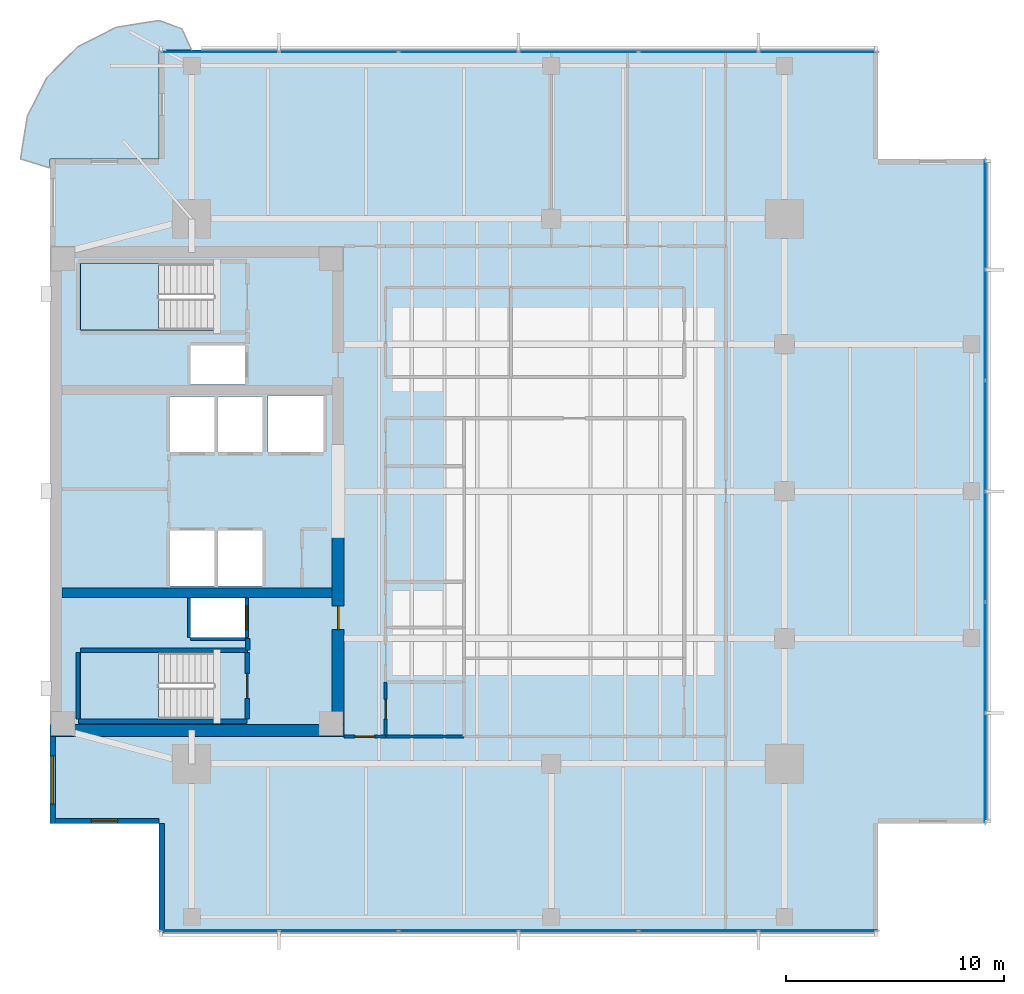
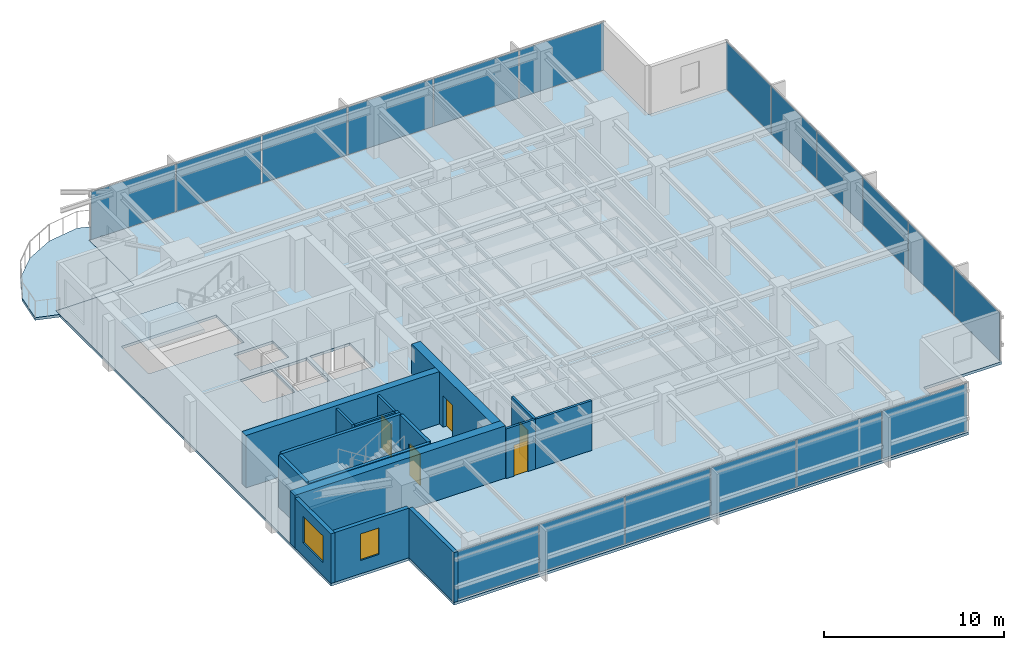
# One storey, part 7 of 14: 18 plates, 17 walls, 5 doors, 4 slabs, 2 windows, 7 openings, 5 elements without a shape of their own.
"""IFC4 building model written with IfcOpenShell, lengths in metres."""

from ifc_helpers import new_model, si_unit, direction, frame, frame_2d, origin, origin_2d, place, context, subcontext, project, spatial, polyline, rectangle, outline, extrude, material, layer, layer_set, type_object, element, fill, aggregate, save


model = new_model("IFC4")

# Units and contexts
model_context = context("Model", 3, precision=1e-05, world=origin(), true_north=direction((0.0, 1.0)))
body_context = subcontext(model_context, "Body", "Model", "MODEL_VIEW")
ifc_project = project(units=[si_unit("LENGTHUNIT", "METRE"), si_unit("AREAUNIT", "SQUARE_METRE"), si_unit("VOLUMEUNIT", "CUBIC_METRE"), si_unit("PLANEANGLEUNIT", "RADIAN"), si_unit("MASSUNIT", "GRAM", prefix="KILO")], contexts=[model_context])

# Site, building, storey
site_placement = place(None, origin())
site = spatial("IfcSite", under=ifc_project, at=site_placement, CompositionType="ELEMENT")
building_placement = place(site_placement, origin())
building = spatial("IfcBuilding", under=site, at=building_placement, Name="Kinhvarn Gate Tower", CompositionType="ELEMENT")
storey_placement = place(building_placement, frame((0.0, 0.0, 234.199951171875)))
storey = spatial("IfcBuildingStorey", under=building, at=storey_placement, Name="L62", CompositionType="ELEMENT", Elevation=234.199951171875)

# Curtain wall, plates
ifc_material_1 = material(Name="Anodised aluminium AW-6063", Category="aluminium")
ifc_layer_1 = layer(ifc_material_1, 0.179931640625)
ifc_layer_set_1 = layer_set([ifc_layer_1], Name="Anodised aluminium AW-6063")
curtain_wall_type = type_object("IfcCurtainWallType", Name="CW-SYS-3", PredefinedType="NOTDEFINED", material=ifc_layer_set_1)
curtain_wall_1_placement = place(storey_placement, origin())
curtain_wall_1 = element("IfcCurtainWall", 1, at=curtain_wall_1_placement, inside=storey, type_object=curtain_wall_type, Name="Curtain Wall CW3 (L62)", PredefinedType="NOTDEFINED")
ifc_material_2 = material(Name="Clear low-e double glazing", Category="glass")
ifc_layer_2 = layer(ifc_material_2, 0.031982421875)
ifc_layer_set_2 = layer_set([ifc_layer_2], Name="Clear low-e double glazing")
plate_type = type_object("IfcPlateType", Name="CW-PNL-VIS", PredefinedType="CURTAIN_PANEL", material=ifc_layer_set_2)
plate_1_placement = place(storey_placement, frame((12.266357421875, 5.090087890625, 0.070068359375), z_axis=(0.0, 0.0, 1.0), x_axis=(1.0, 0.0, 0.0)))
plate_1 = element("IfcPlate", 2, at=plate_1_placement, type_object=plate_type, Name="CW3 panel 1.1", PredefinedType="CURTAIN_PANEL", context=body_context, shape_type="SweptSolid", body=[
    extrude(rectangle(XDim=5.402587890625, YDim=0.031982421875, at=origin_2d()), origin(), (0.0, 0.0, 1.0), 3.22998046875),
])
plate_2_placement = place(storey_placement, frame((17.75, 5.090087890625, 0.070068359375), z_axis=(0.0, 0.0, 1.0), x_axis=(1.0, 0.0, 0.0)))
plate_2 = element("IfcPlate", 3, at=plate_2_placement, type_object=plate_type, Name="CW3 panel 2.1", PredefinedType="CURTAIN_PANEL", context=body_context, shape_type="SweptSolid", body=[
    extrude(rectangle(XDim=5.43505859375, YDim=0.031982421875, at=origin_2d()), origin(), (0.0, 0.0, 1.0), 3.22998046875),
])
plate_3_placement = place(storey_placement, frame((23.25, 5.090087890625, 0.070068359375), z_axis=(0.0, 0.0, 1.0), x_axis=(1.0, 0.0, 0.0)))
plate_3 = element("IfcPlate", 4, at=plate_3_placement, type_object=plate_type, Name="CW3 panel 3.1", PredefinedType="CURTAIN_PANEL", context=body_context, shape_type="SweptSolid", body=[
    extrude(rectangle(XDim=5.43505859375, YDim=0.031982421875, at=origin_2d()), origin(), (0.0, 0.0, 1.0), 3.22998046875),
])
plate_4_placement = place(storey_placement, frame((28.75, 5.090087890625, 0.070068359375), z_axis=(0.0, 0.0, 1.0), x_axis=(1.0, 0.0, 0.0)))
plate_4 = element("IfcPlate", 5, at=plate_4_placement, type_object=plate_type, Name="CW3 panel 4.1", PredefinedType="CURTAIN_PANEL", context=body_context, shape_type="SweptSolid", body=[
    extrude(rectangle(XDim=5.43505859375, YDim=0.031982421875, at=origin_2d()), origin(), (0.0, 0.0, 1.0), 3.22998046875),
])
plate_5_placement = place(storey_placement, frame((34.25, 5.090087890625, 0.070068359375), z_axis=(0.0, 0.0, 1.0), x_axis=(1.0, 0.0, 0.0)))
plate_5 = element("IfcPlate", 6, at=plate_5_placement, type_object=plate_type, Name="CW3 panel 5.1", PredefinedType="CURTAIN_PANEL", context=body_context, shape_type="SweptSolid", body=[
    extrude(rectangle(XDim=5.43505859375, YDim=0.031982421875, at=origin_2d()), origin(), (0.0, 0.0, 1.0), 3.22998046875),
])
plate_6_placement = place(storey_placement, frame((39.733642578125, 5.090087890625, 0.070068359375), z_axis=(0.0, 0.0, 1.0), x_axis=(1.0, 0.0, 0.0)))
plate_6 = element("IfcPlate", 7, at=plate_6_placement, type_object=plate_type, Name="CW3 panel 6.1", PredefinedType="CURTAIN_PANEL", context=body_context, shape_type="SweptSolid", body=[
    extrude(rectangle(XDim=5.402587890625, YDim=0.031982421875, at=origin_2d()), origin(), (0.0, 0.0, 1.0), 3.22998046875),
])
aggregate(curtain_wall_1, [plate_1, plate_2, plate_3, plate_4, plate_5, plate_6])

curtain_wall_2_placement = place(storey_placement, origin())
curtain_wall_2 = element("IfcCurtainWall", 8, at=curtain_wall_2_placement, inside=storey, type_object=curtain_wall_type, Name="Curtain Wall CW3 (L62)", PredefinedType="NOTDEFINED")
plate_7_placement = place(storey_placement, frame((39.733642578125, 45.409912109375, 0.070068359375), z_axis=(0.0, 0.0, 1.0), x_axis=(-1.0, 0.0, 0.0)))
plate_7 = element("IfcPlate", 9, at=plate_7_placement, type_object=plate_type, Name="CW3 panel 1.1", PredefinedType="CURTAIN_PANEL", context=body_context, shape_type="SweptSolid", body=[
    extrude(rectangle(XDim=5.402587890625, YDim=0.031982421875, at=origin_2d()), origin(), (0.0, 0.0, 1.0), 3.22998046875),
])
plate_8_placement = place(storey_placement, frame((34.25, 45.409912109375, 0.070068359375), z_axis=(0.0, 0.0, 1.0), x_axis=(-1.0, 0.0, 0.0)))
plate_8 = element("IfcPlate", 10, at=plate_8_placement, type_object=plate_type, Name="CW3 panel 2.1", PredefinedType="CURTAIN_PANEL", context=body_context, shape_type="SweptSolid", body=[
    extrude(rectangle(XDim=5.43505859375, YDim=0.031982421875, at=origin_2d()), origin(), (0.0, 0.0, 1.0), 3.22998046875),
])
plate_9_placement = place(storey_placement, frame((28.75, 45.409912109375, 0.070068359375), z_axis=(0.0, 0.0, 1.0), x_axis=(-1.0, 0.0, 0.0)))
plate_9 = element("IfcPlate", 11, at=plate_9_placement, type_object=plate_type, Name="CW3 panel 3.1", PredefinedType="CURTAIN_PANEL", context=body_context, shape_type="SweptSolid", body=[
    extrude(rectangle(XDim=5.43505859375, YDim=0.031982421875, at=origin_2d()), origin(), (0.0, 0.0, 1.0), 3.22998046875),
])
plate_10_placement = place(storey_placement, frame((23.25, 45.409912109375, 0.070068359375), z_axis=(0.0, 0.0, 1.0), x_axis=(-1.0, 0.0, 0.0)))
plate_10 = element("IfcPlate", 12, at=plate_10_placement, type_object=plate_type, Name="CW3 panel 4.1", PredefinedType="CURTAIN_PANEL", context=body_context, shape_type="SweptSolid", body=[
    extrude(rectangle(XDim=5.43505859375, YDim=0.031982421875, at=origin_2d()), origin(), (0.0, 0.0, 1.0), 3.22998046875),
])
plate_11_placement = place(storey_placement, frame((17.75, 45.409912109375, 0.070068359375), z_axis=(0.0, 0.0, 1.0), x_axis=(-1.0, 0.0, 0.0)))
plate_11 = element("IfcPlate", 13, at=plate_11_placement, type_object=plate_type, Name="CW3 panel 5.1", PredefinedType="CURTAIN_PANEL", context=body_context, shape_type="SweptSolid", body=[
    extrude(rectangle(XDim=5.43505859375, YDim=0.031982421875, at=origin_2d()), origin(), (0.0, 0.0, 1.0), 3.22998046875),
])
plate_12_placement = place(storey_placement, frame((12.266357421875, 45.409912109375, 0.070068359375), z_axis=(0.0, 0.0, 1.0), x_axis=(-1.0, 0.0, 0.0)))
plate_12 = element("IfcPlate", 14, at=plate_12_placement, type_object=plate_type, Name="CW3 panel 6.1", PredefinedType="CURTAIN_PANEL", context=body_context, shape_type="SweptSolid", body=[
    extrude(rectangle(XDim=5.402587890625, YDim=0.031982421875, at=origin_2d()), origin(), (0.0, 0.0, 1.0), 3.22998046875),
])
aggregate(curtain_wall_2, [plate_7, plate_8, plate_9, plate_10, plate_11, plate_12])

curtain_wall_3_placement = place(storey_placement, origin())
curtain_wall_3 = element("IfcCurtainWall", 15, at=curtain_wall_3_placement, inside=storey, type_object=curtain_wall_type, Name="Curtain Wall CW3 (L62)", PredefinedType="NOTDEFINED")
plate_13_placement = place(storey_placement, frame((47.409912109375, 12.557861328125, 0.070068359375), z_axis=(0.0, 0.0, 1.0), x_axis=(0.0, 1.0, 0.0)))
plate_13 = element("IfcPlate", 16, at=plate_13_placement, type_object=plate_type, Name="CW3 panel 1.1", PredefinedType="CURTAIN_PANEL", context=body_context, shape_type="SweptSolid", body=[
    extrude(rectangle(XDim=4.98583984375, YDim=0.031982421875, at=origin_2d()), origin(), (0.0, 0.0, 1.0), 3.22998046875),
])
plate_14_placement = place(storey_placement, frame((47.409912109375, 17.625, 0.070068359375), z_axis=(0.0, 0.0, 1.0), x_axis=(0.0, 1.0, 0.0)))
plate_14 = element("IfcPlate", 17, at=plate_14_placement, type_object=plate_type, Name="CW3 panel 2.1", PredefinedType="CURTAIN_PANEL", context=body_context, shape_type="SweptSolid", body=[
    extrude(rectangle(XDim=5.018310546875, YDim=0.031982421875, at=origin_2d()), origin(), (0.0, 0.0, 1.0), 3.22998046875),
])
plate_15_placement = place(storey_placement, frame((47.409912109375, 22.708251953125, 0.070068359375), z_axis=(0.0, 0.0, 1.0), x_axis=(0.0, 1.0, 0.0)))
plate_15 = element("IfcPlate", 18, at=plate_15_placement, type_object=plate_type, Name="CW3 panel 3.1", PredefinedType="CURTAIN_PANEL", context=body_context, shape_type="SweptSolid", body=[
    extrude(rectangle(XDim=5.018310546875, YDim=0.031982421875, at=origin_2d()), origin(), (0.0, 0.0, 1.0), 3.22998046875),
])
plate_16_placement = place(storey_placement, frame((47.409912109375, 27.791748046875, 0.070068359375), z_axis=(0.0, 0.0, 1.0), x_axis=(0.0, 1.0, 0.0)))
plate_16 = element("IfcPlate", 19, at=plate_16_placement, type_object=plate_type, Name="CW3 panel 4.1", PredefinedType="CURTAIN_PANEL", context=body_context, shape_type="SweptSolid", body=[
    extrude(rectangle(XDim=5.018310546875, YDim=0.031982421875, at=origin_2d()), origin(), (0.0, 0.0, 1.0), 3.22998046875),
])
plate_17_placement = place(storey_placement, frame((47.409912109375, 32.875, 0.070068359375), z_axis=(0.0, 0.0, 1.0), x_axis=(0.0, 1.0, 0.0)))
plate_17 = element("IfcPlate", 20, at=plate_17_placement, type_object=plate_type, Name="CW3 panel 5.1", PredefinedType="CURTAIN_PANEL", context=body_context, shape_type="SweptSolid", body=[
    extrude(rectangle(XDim=5.018310546875, YDim=0.031982421875, at=origin_2d()), origin(), (0.0, 0.0, 1.0), 3.22998046875),
])
plate_18_placement = place(storey_placement, frame((47.409912109375, 37.942138671875, 0.070068359375), z_axis=(0.0, 0.0, 1.0), x_axis=(0.0, 1.0, 0.0)))
plate_18 = element("IfcPlate", 21, at=plate_18_placement, type_object=plate_type, Name="CW3 panel 6.1", PredefinedType="CURTAIN_PANEL", context=body_context, shape_type="SweptSolid", body=[
    extrude(rectangle(XDim=4.98583984375, YDim=0.031982421875, at=origin_2d()), origin(), (0.0, 0.0, 1.0), 3.22998046875),
])
aggregate(curtain_wall_3, [plate_13, plate_14, plate_15, plate_16, plate_17, plate_18])

# Slabs
ifc_material_3 = material(Name="Precast white architectural concrete C40/50", Category="concrete")
ifc_layer_3 = layer(ifc_material_3, 0.179931640625)
ifc_layer_set_3 = layer_set([ifc_layer_3], Name="Precast white architectural concrete C40/50")
slab_type_1 = type_object("IfcSlabType", Name="SLB-BAL-180", PredefinedType="FLOOR", material=ifc_layer_set_3)
slab_1_placement = place(storey_placement, frame((0.0, 0.0, -0.179931640625)))
element("IfcSlab", 22, at=slab_1_placement, inside=storey, type_object=slab_type_1, Name="S-Carve Curved Terrace Balcony Slab L62 (NW)", PredefinedType="FLOOR", context=body_context, shape_type="SweptSolid", body=[
    extrude(outline(polyline([(10.9970703125, 45.5), (10.547119140625, 46.471923828125), (9.5, 46.85009765625), (7.53759765625, 46.539306640625), (5.767578125, 45.63720703125), (4.36279296875, 44.232421875), (3.460693359375, 42.46240234375), (3.14990234375, 40.5), (4.5, 40.0859375), (4.5, 40.5), (9.5, 40.5), (9.5, 45.5), (10.9970703125, 45.5)])), origin(), (0.0, 0.0, 1.0), 0.179931640625),
])
ifc_material_4 = material(Name="Concrete C40/50", Category="concrete")
ifc_layer_4 = layer(ifc_material_4, 0.179931640625)
ifc_layer_set_4 = layer_set([ifc_layer_4], Name="Concrete C40/50")
slab_type_2 = type_object("IfcSlabType", Name="SLB-FLR-180", PredefinedType="FLOOR", material=ifc_layer_set_4)
slab_2_placement = place(storey_placement, frame((0.0, 0.0, -0.179931640625)))
element("IfcSlab", 23, at=slab_2_placement, inside=storey, type_object=slab_type_2, Name="Suspended Floor Slab L62", PredefinedType="FLOOR", context=body_context, shape_type="SweptSolid", body=[
    extrude(outline(polyline([(9.5, 5.0), (42.5, 5.0), (42.5, 10.0), (47.5, 10.0), (47.5, 40.5), (42.5, 40.5), (42.5, 45.5), (9.5, 45.5), (9.5, 40.5), (4.5, 40.5), (4.5, 10.0), (9.5, 10.0), (9.5, 5.0)]), holes=[polyline([(5.89990234375, 14.800048828125), (12.0, 14.800048828125), (12.0, 17.85009765625), (5.89990234375, 17.85009765625), (5.89990234375, 14.800048828125)]), polyline([(5.89990234375, 32.64990234375), (12.0, 32.64990234375), (12.0, 35.699951171875), (5.89990234375, 35.699951171875), (5.89990234375, 32.64990234375)]), polyline([(10.0, 20.89990234375), (12.050048828125, 20.89990234375), (12.050048828125, 23.449951171875), (10.0, 23.449951171875), (10.0, 20.89990234375)]), polyline([(12.199951171875, 20.89990234375), (14.25, 20.89990234375), (14.25, 23.449951171875), (12.199951171875, 23.449951171875), (12.199951171875, 20.89990234375)]), polyline([(10.0, 27.050048828125), (12.050048828125, 27.050048828125), (12.050048828125, 29.60009765625), (10.0, 29.60009765625), (10.0, 27.050048828125)]), polyline([(12.199951171875, 27.050048828125), (14.25, 27.050048828125), (14.25, 29.60009765625), (12.199951171875, 29.60009765625), (12.199951171875, 27.050048828125)]), polyline([(14.5, 27.050048828125), (17.050048828125, 27.050048828125), (17.050048828125, 29.64990234375), (14.5, 29.64990234375), (14.5, 27.050048828125)]), polyline([(10.949951171875, 18.550048828125), (13.449951171875, 18.550048828125), (13.449951171875, 20.35009765625), (10.949951171875, 20.35009765625), (10.949951171875, 18.550048828125)]), polyline([(10.949951171875, 30.14990234375), (13.449951171875, 30.14990234375), (13.449951171875, 31.949951171875), (10.949951171875, 31.949951171875), (10.949951171875, 30.14990234375)])]), origin(), (0.0, 0.0, 1.0), 0.179931640625),
])

# Stair, slab
stair_type = type_object("IfcStairType", Name="STR-DLG-178", PredefinedType="HALF_TURN_STAIR", material=ifc_material_4)
stair_1_placement = place(storey_placement, origin())
stair_1 = element("IfcStair", 24, at=stair_1_placement, inside=storey, type_object=stair_type, Name="L62 Core Smokeproof Exit Stair ST1", PredefinedType="HALF_TURN_STAIR")
ifc_layer_5 = layer(ifc_material_4, 0.199951171875)
ifc_layer_set_5 = layer_set([ifc_layer_5], Name="Concrete C40/50")
slab_type_3 = type_object("IfcSlabType", Name="SLB-ST-LND", PredefinedType="LANDING", material=ifc_layer_set_5)
slab_3_placement = place(storey_placement, frame((0.0, 0.0, 1.574951171875)))
slab_3 = element("IfcSlab", 25, at=slab_3_placement, type_object=slab_type_3, Name="ST1 landing 1", PredefinedType="LANDING", context=body_context, shape_type="SweptSolid", body=[
    extrude(outline(polyline([(9.47998046875, 17.85009765625), (5.89990234375, 17.85009765625), (5.89990234375, 14.800048828125), (9.47998046875, 14.800048828125), (9.47998046875, 17.85009765625)])), origin(), (0.0, 0.0, 1.0), 0.2001953125),
])
aggregate(stair_1, [slab_3])

stair_2_placement = place(storey_placement, origin())
stair_2 = element("IfcStair", 26, at=stair_2_placement, inside=storey, type_object=stair_type, Name="L62 Core Smokeproof Exit Stair ST2", PredefinedType="HALF_TURN_STAIR")
slab_4_placement = place(storey_placement, frame((0.0, 0.0, 1.574951171875)))
slab_4 = element("IfcSlab", 27, at=slab_4_placement, type_object=slab_type_3, Name="ST2 landing 1", PredefinedType="LANDING", context=body_context, shape_type="SweptSolid", body=[
    extrude(outline(polyline([(9.47998046875, 35.699951171875), (5.89990234375, 35.699951171875), (5.89990234375, 32.64990234375), (9.47998046875, 32.64990234375), (9.47998046875, 35.699951171875)])), origin(), (0.0, 0.0, 1.0), 0.2001953125),
])
aggregate(stair_2, [slab_4])

# Walls
ifc_material_5 = material(Name="Concrete C50/60", Category="concrete")
ifc_layer_6 = layer(ifc_material_5, 0.449951171875)
ifc_layer_set_6 = layer_set([ifc_layer_6], Name="Concrete C50/60")
wall_type_1 = type_object("IfcWallType", Name="WL-CORE-450", PredefinedType="SHEAR", material=ifc_layer_set_6)
wall_1_placement = place(storey_placement, frame((5.050048828125, 20.60009765625, 0.0), z_axis=(0.0, 0.0, 1.0), x_axis=(1.0, 0.0, 0.0)))
element("IfcWall", 28, at=wall_1_placement, inside=storey, type_object=wall_type_1, Name="Core South Spine Shear Wall L62 450 mm", PredefinedType="SHEAR", context=body_context, shape_type="SweptSolid", body=[
    extrude(rectangle(XDim=12.39990234375, YDim=0.449951171875, at=frame_2d((6.199951171875, 0.0))), origin(), (0.0, 0.0, 1.0), 3.550048828125),
])
ifc_material_6 = material(Name="Concrete C60/75", Category="concrete")
ifc_layer_7 = layer(ifc_material_6, 0.550048828125)
ifc_layer_set_7 = layer_set([ifc_layer_7], Name="Concrete C60/75")
wall_type_2 = type_object("IfcWallType", Name="WL-CORE-550", PredefinedType="SHEAR", material=ifc_layer_set_7)
wall_2_placement = place(storey_placement, frame((4.5, 14.27490234375, 0.0), z_axis=(0.0, 0.0, 1.0), x_axis=(1.0, 0.0, 0.0)))
element("IfcWall", 29, at=wall_2_placement, inside=storey, type_object=wall_type_2, Name="Core South Shear Wall L62 550 mm", PredefinedType="SHEAR", context=body_context, shape_type="SweptSolid", body=[
    extrude(rectangle(XDim=13.5, YDim=0.550048828125, at=frame_2d((6.75, 0.0))), origin(), (0.0, 0.0, 1.0), 3.550048828125),
])

# Wall, opening, door
wall_3_placement = place(storey_placement, frame((17.72509765625, 14.550048828125, 0.0), z_axis=(0.0, 0.0, 1.0), x_axis=(0.0, 1.0, 0.0)))
wall_3 = element("IfcWall", 30, at=wall_3_placement, inside=storey, type_object=wall_type_2, Name="Core East-South Shear Pier L62 550 mm", PredefinedType="SHEAR", context=body_context, shape_type="SweptSolid", body=[
    extrude(rectangle(XDim=8.89990234375, YDim=0.550048828125, at=frame_2d((4.449951171875, 0.0))), origin(), (0.0, 0.0, 1.0), 3.550048828125),
])
opening_1_placement = place(wall_3_placement, frame((4.35009765625, 0.0, 0.0)))
opening_1 = element("IfcOpeningElement", 31, at=opening_1_placement, cuts=wall_3, Name="Opening FD-02", PredefinedType="OPENING", context=body_context, shape_type="SweptSolid", body=[
    extrude(rectangle(XDim=1.10009765625, YDim=2.14990234375, at=frame_2d((0.550048828125, 1.074951171875))), frame((0.0, 0.28515625, 0.0), z_axis=(0.0, -1.0, 0.0), x_axis=(1.0, 0.0, 0.0)), (0.0, 0.0, 1.0), 0.570068359375),
])
door_type_1 = type_object("IfcDoorType", Name="DR-FD-1100", OperationType="NOTDEFINED", PredefinedType="DOOR", material=ifc_material_1)
door_1_placement = place(opening_1_placement, origin())
door_1 = element("IfcDoor", 32, at=door_1_placement, inside=storey, type_object=door_type_1, Name="Firefighting Lobby Core Door (L62)", OperationType="SINGLE_SWING_RIGHT", OverallHeight=2.14990234375, OverallWidth=1.10009765625, PredefinedType="DOOR", context=body_context, shape_type="SweptSolid", body=[
    extrude(rectangle(XDim=1.10009765625, YDim=2.14990234375, at=frame_2d((0.550048828125, 1.074951171875))), frame((0.0, 0.02490234375, 0.0), z_axis=(0.0, -1.0, 0.0), x_axis=(1.0, 0.0, 0.0)), (0.0, 0.0, 1.0), 0.050048828125),
])
fill(opening_1, door_1)

# Wall, opening, window
ifc_material_7 = material(Name="Fired architectural terracotta", Category="masonry")
ifc_layer_8 = layer(ifc_material_7, 0.25)
ifc_layer_set_8 = layer_set([ifc_layer_8], Name="Fired architectural terracotta")
wall_type_3 = type_object("IfcWallType", Name="WL-EXT-250", PredefinedType="SOLIDWALL", material=ifc_layer_set_8)
wall_4_placement = place(storey_placement, frame((4.625, 14.0, 0.0), z_axis=(0.0, 0.0, 1.0), x_axis=(0.0, -1.0, 0.0)))
wall_4 = element("IfcWall", 33, at=wall_4_placement, inside=storey, type_object=wall_type_3, Name="Exterior Solidwall Wall EW-250 (L62 West-South)", PredefinedType="SOLIDWALL", context=body_context, shape_type="SweptSolid", body=[
    extrude(rectangle(XDim=4.0, YDim=0.25, at=frame_2d((2.0, 0.0))), origin(), (0.0, 0.0, 1.0), 3.3701171875),
])
opening_2_placement = place(wall_4_placement, frame((0.89990234375, 0.0, 0.89990234375)))
opening_2 = element("IfcOpeningElement", 34, at=opening_2_placement, cuts=wall_4, Name="Opening WN-01", PredefinedType="OPENING", context=body_context, shape_type="SweptSolid", body=[
    extrude(rectangle(XDim=2.199951171875, YDim=1.800048828125, at=frame_2d((1.10009765625, 0.89990234375))), frame((0.0, 0.135009765625, 0.0), z_axis=(0.0, -1.0, 0.0), x_axis=(1.0, 0.0, 0.0)), (0.0, 0.0, 1.0), 0.27001953125),
])
window_type_1 = type_object("IfcWindowType", Name="WIN-RIB-2200", PartitioningType="SINGLE_PANEL", PredefinedType="WINDOW", material=ifc_material_2)
window_1_placement = place(opening_2_placement, origin())
window_1 = element("IfcWindow", 35, at=window_1_placement, inside=storey, type_object=window_type_1, Name="West Flank Double-Glazed Ribbon Window 2200x1800 mm (L62)", OverallHeight=1.800048828125, OverallWidth=2.199951171875, PartitioningType="SINGLE_PANEL", PredefinedType="WINDOW", context=body_context, shape_type="SweptSolid", body=[
    extrude(rectangle(XDim=2.199951171875, YDim=1.800048828125, at=frame_2d((1.10009765625, 0.89990234375))), frame((0.0, 0.030029296875, 0.0), z_axis=(0.0, -1.0, 0.0), x_axis=(1.0, 0.0, 0.0)), (0.0, 0.0, 1.0), 0.06005859375),
])
fill(opening_2, window_1)

wall_5_placement = place(storey_placement, frame((4.5, 10.125, 0.0), z_axis=(0.0, 0.0, 1.0), x_axis=(1.0, 0.0, 0.0)))
wall_5 = element("IfcWall", 36, at=wall_5_placement, inside=storey, type_object=wall_type_3, Name="Exterior Solidwall Wall EW-250 (L62 SW-Notch-1)", PredefinedType="SOLIDWALL", context=body_context, shape_type="SweptSolid", body=[
    extrude(rectangle(XDim=5.0, YDim=0.25, at=frame_2d((2.5, 0.0))), origin(), (0.0, 0.0, 1.0), 3.3701171875),
])
opening_3_placement = place(wall_5_placement, frame((1.89990234375, 0.0, 0.89990234375)))
opening_3 = element("IfcOpeningElement", 37, at=opening_3_placement, cuts=wall_5, Name="Opening WN-02", PredefinedType="OPENING", context=body_context, shape_type="SweptSolid", body=[
    extrude(rectangle(XDim=1.199951171875, YDim=1.800048828125, at=frame_2d((0.60009765625, 0.89990234375))), frame((0.0, 0.135009765625, 0.0), z_axis=(0.0, -1.0, 0.0), x_axis=(1.0, 0.0, 0.0)), (0.0, 0.0, 1.0), 0.27001953125),
])
window_type_2 = type_object("IfcWindowType", Name="WIN-NTC-1200", PartitioningType="SINGLE_PANEL", PredefinedType="WINDOW", material=ifc_material_2)
window_2_placement = place(opening_3_placement, origin())
window_2 = element("IfcWindow", 38, at=window_2_placement, inside=storey, type_object=window_type_2, Name="Recessed Corner Notch Punched Window 1200x1800 mm (L62)", OverallHeight=1.800048828125, OverallWidth=1.199951171875, PartitioningType="SINGLE_PANEL", PredefinedType="WINDOW", context=body_context, shape_type="SweptSolid", body=[
    extrude(rectangle(XDim=1.199951171875, YDim=1.800048828125, at=frame_2d((0.60009765625, 0.89990234375))), frame((0.0, 0.030029296875, 0.0), z_axis=(0.0, -1.0, 0.0), x_axis=(1.0, 0.0, 0.0)), (0.0, 0.0, 1.0), 0.06005859375),
])
fill(opening_3, window_2)

# Walls
wall_6_placement = place(storey_placement, frame((9.625, 10.0, 0.0), z_axis=(0.0, 0.0, 1.0), x_axis=(0.0, -1.0, 0.0)))
element("IfcWall", 39, at=wall_6_placement, inside=storey, type_object=wall_type_3, Name="Exterior Solidwall Wall EW-250 (L62 SW-Notch-2)", PredefinedType="SOLIDWALL", context=body_context, shape_type="SweptSolid", body=[
    extrude(rectangle(XDim=5.0, YDim=0.25, at=frame_2d((2.5, 0.0))), origin(), (0.0, 0.0, 1.0), 3.3701171875),
])
ifc_material_8 = material(Name="Gypsum acoustic partition board")
ifc_layer_9 = layer(ifc_material_8, 0.14990234375)
ifc_layer_set_9 = layer_set([ifc_layer_9], Name="Gypsum acoustic partition board")
wall_type_4 = type_object("IfcWallType", Name="WL-PLM-150", PredefinedType="PLUMBINGWALL", material=ifc_layer_set_9)
wall_7_placement = place(storey_placement, frame((19.89990234375, 14.0, 0.0), z_axis=(0.0, 0.0, 1.0), x_axis=(1.0, 0.0, 0.0)))
element("IfcWall", 40, at=wall_7_placement, inside=storey, type_object=wall_type_4, Name="Interior Partition PLW-150 (L62)", PredefinedType="PLUMBINGWALL", context=body_context, shape_type="SweptSolid", body=[
    extrude(rectangle(XDim=3.60009765625, YDim=0.14990234375, at=frame_2d((1.800048828125, 0.0))), origin(), (0.0, 0.0, 1.0), 3.3701171875),
])

# Wall, opening, door
ifc_layer_10 = layer(ifc_material_8, 0.14990234375)
ifc_layer_set_10 = layer_set([ifc_layer_10], Name="Gypsum acoustic partition board")
wall_type_5 = type_object("IfcWallType", Name="WL-PLM-150F", PredefinedType="PLUMBINGWALL", material=ifc_layer_set_10)
wall_8_placement = place(storey_placement, frame((19.89990234375, 14.0, 0.0), z_axis=(0.0, 0.0, 1.0), x_axis=(0.0, 1.0, 0.0)))
wall_8 = element("IfcWall", 41, at=wall_8_placement, inside=storey, type_object=wall_type_5, Name="Interior Partition PLW-150F (L62)", PredefinedType="PLUMBINGWALL", context=body_context, shape_type="SweptSolid", body=[
    extrude(rectangle(XDim=2.5, YDim=0.14990234375, at=frame_2d((1.25, 0.0))), origin(), (0.0, 0.0, 1.0), 3.3701171875),
])
opening_4_placement = place(wall_8_placement, frame((0.800048828125, 0.0, 0.0)))
opening_4 = element("IfcOpeningElement", 42, at=opening_4_placement, cuts=wall_8, Name="Opening FD-04", PredefinedType="OPENING", context=body_context, shape_type="SweptSolid", body=[
    extrude(rectangle(XDim=0.89990234375, YDim=2.10009765625, at=frame_2d((0.449951171875, 1.050048828125))), frame((0.0, 0.0849609375, 0.0), z_axis=(0.0, -1.0, 0.0), x_axis=(1.0, 0.0, 0.0)), (0.0, 0.0, 1.0), 0.169921875),
])
door_type_2 = type_object("IfcDoorType", Name="DR-FD-900", OperationType="NOTDEFINED", PredefinedType="DOOR", material=ifc_material_1)
door_2_placement = place(opening_4_placement, origin())
door_2 = element("IfcDoor", 43, at=door_2_placement, inside=storey, type_object=door_type_2, Name="Rated Riser & Service Closet Fire Door 900x2100 mm (L62)", OperationType="SINGLE_SWING_RIGHT", OverallHeight=2.10009765625, OverallWidth=0.89990234375, PredefinedType="DOOR", context=body_context, shape_type="SweptSolid", body=[
    extrude(rectangle(XDim=0.89990234375, YDim=2.10009765625, at=frame_2d((0.449951171875, 1.050048828125))), frame((0.0, 0.02490234375, 0.0), z_axis=(0.0, -1.0, 0.0), x_axis=(1.0, 0.0, 0.0)), (0.0, 0.0, 1.0), 0.050048828125),
])
fill(opening_4, door_2)

ifc_layer_11 = layer(ifc_material_8, 0.14990234375)
ifc_layer_set_11 = layer_set([ifc_layer_11], Name="Gypsum acoustic partition board")
wall_type_6 = type_object("IfcWallType", Name="WL-PRT-150F", PredefinedType="PARTITIONING", material=ifc_layer_set_11)
wall_9_placement = place(storey_placement, frame((18.0, 14.0, 0.0), z_axis=(0.0, 0.0, 1.0), x_axis=(1.0, 0.0, 0.0)))
wall_9 = element("IfcWall", 44, at=wall_9_placement, inside=storey, type_object=wall_type_6, Name="Interior Partition PW-150F (L62)", PredefinedType="PARTITIONING", context=body_context, shape_type="SweptSolid", body=[
    extrude(rectangle(XDim=1.89990234375, YDim=0.14990234375, at=frame_2d((0.949951171875, 0.0))), origin(), (0.0, 0.0, 1.0), 3.3701171875),
])
opening_5_placement = place(wall_9_placement, frame((0.5, 0.0, 0.0)))
opening_5 = element("IfcOpeningElement", 45, at=opening_5_placement, cuts=wall_9, Name="Opening ID-03", PredefinedType="OPENING", context=body_context, shape_type="SweptSolid", body=[
    extrude(rectangle(XDim=0.89990234375, YDim=2.10009765625, at=frame_2d((0.449951171875, 1.050048828125))), frame((0.0, 0.0849609375, 0.0), z_axis=(0.0, -1.0, 0.0), x_axis=(1.0, 0.0, 0.0)), (0.0, 0.0, 1.0), 0.169921875),
])
door_type_3 = type_object("IfcDoorType", Name="DR-INT-900", OperationType="NOTDEFINED", PredefinedType="DOOR", material=ifc_material_1)
door_3_placement = place(opening_5_placement, origin())
door_3 = element("IfcDoor", 46, at=door_3_placement, inside=storey, type_object=door_type_3, Name="Cellular Office & Restroom Door 900x2100 mm (L62)", OperationType="SINGLE_SWING_LEFT", OverallHeight=2.10009765625, OverallWidth=0.89990234375, PredefinedType="DOOR", context=body_context, shape_type="SweptSolid", body=[
    extrude(rectangle(XDim=0.89990234375, YDim=2.10009765625, at=frame_2d((0.449951171875, 1.050048828125))), frame((0.0, 0.02490234375, 0.0), z_axis=(0.0, -1.0, 0.0), x_axis=(1.0, 0.0, 0.0)), (0.0, 0.0, 1.0), 0.050048828125),
])
fill(opening_5, door_3)

# Walls
ifc_layer_12 = layer(ifc_material_8, 0.199951171875)
ifc_layer_set_12 = layer_set([ifc_layer_12], Name="Gypsum acoustic partition board")
wall_type_7 = type_object("IfcWallType", Name="WL-PRT-200", PredefinedType="PARTITIONING", material=ifc_layer_set_12)
wall_10_placement = place(storey_placement, frame((13.580078125, 17.9599609375, 0.0), z_axis=(0.0, 0.0, 1.0), x_axis=(0.0, 1.0, 0.0)))
element("IfcWall", 47, at=wall_10_placement, inside=storey, type_object=wall_type_7, Name="Interior Partition PW-200 (L62)", PredefinedType="PARTITIONING", context=body_context, shape_type="SweptSolid", body=[
    extrude(rectangle(XDim=0.5400390625, YDim=0.199951171875, at=frame_2d((0.27001953125, 0.0))), origin(), (0.0, 0.0, 1.0), 3.3701171875),
])
ifc_layer_13 = layer(ifc_material_8, 0.14990234375)
ifc_layer_set_13 = layer_set([ifc_layer_13], Name="Gypsum acoustic partition board")
wall_type_8 = type_object("IfcWallType", Name="WL-SHF-150", PredefinedType="PARTITIONING", material=ifc_layer_set_13)
wall_11_placement = place(storey_placement, frame((10.949951171875, 18.47509765625, 0.0), z_axis=(0.0, 0.0, 1.0), x_axis=(1.0, 0.0, 0.0)))
element("IfcWall", 48, at=wall_11_placement, inside=storey, type_object=wall_type_8, Name="Elevator FF1 Hoistway Wall S (L62)", PredefinedType="PARTITIONING", context=body_context, shape_type="SweptSolid", body=[
    extrude(rectangle(XDim=2.5, YDim=0.14990234375, at=frame_2d((1.25, 0.0))), origin(), (0.0, 0.0, 1.0), 3.3701171875),
])
wall_12_placement = place(storey_placement, frame((10.875, 18.550048828125, 0.0), z_axis=(0.0, 0.0, 1.0), x_axis=(0.0, 1.0, 0.0)))
element("IfcWall", 49, at=wall_12_placement, inside=storey, type_object=wall_type_8, Name="Elevator FF1 Hoistway Wall W (L62)", PredefinedType="PARTITIONING", context=body_context, shape_type="SweptSolid", body=[
    extrude(rectangle(XDim=1.800048828125, YDim=0.14990234375, at=frame_2d((0.89990234375, 0.0))), origin(), (0.0, 0.0, 1.0), 3.3701171875),
])

# Wall, opening, door
wall_13_placement = place(storey_placement, frame((13.52490234375, 18.550048828125, 0.0), z_axis=(0.0, 0.0, 1.0), x_axis=(0.0, 1.0, 0.0)))
wall_13 = element("IfcWall", 50, at=wall_13_placement, inside=storey, type_object=wall_type_8, Name="Elevator FF1 Landing Wall (L62)", PredefinedType="PARTITIONING", context=body_context, shape_type="SweptSolid", body=[
    extrude(rectangle(XDim=1.800048828125, YDim=0.14990234375, at=frame_2d((0.89990234375, 0.0))), origin(), (0.0, 0.0, 1.0), 3.3701171875),
])
opening_6_placement = place(wall_13_placement, frame((0.35009765625, 0.0, 0.0)))
opening_6 = element("IfcOpeningElement", 51, at=opening_6_placement, cuts=wall_13, Name="Opening LD-03", PredefinedType="OPENING", context=body_context, shape_type="SweptSolid", body=[
    extrude(rectangle(XDim=1.10009765625, YDim=2.199951171875, at=frame_2d((0.550048828125, 1.10009765625))), frame((0.0, 0.0849609375, 0.0), z_axis=(0.0, -1.0, 0.0), x_axis=(1.0, 0.0, 0.0)), (0.0, 0.0, 1.0), 0.169921875),
])
door_type_4 = type_object("IfcDoorType", Name="DR-LND-FF", OperationType="NOTDEFINED", PredefinedType="DOOR", material=ifc_material_1)
door_4_placement = place(opening_6_placement, origin())
door_4 = element("IfcDoor", 52, at=door_4_placement, inside=storey, type_object=door_type_4, Name="Elevator FF1 Sliding Landing Door (L62)", OperationType="DOUBLE_DOOR_SLIDING", OverallHeight=2.199951171875, OverallWidth=1.10009765625, PredefinedType="DOOR", context=body_context, shape_type="SweptSolid", body=[
    extrude(rectangle(XDim=1.10009765625, YDim=2.199951171875, at=frame_2d((0.550048828125, 1.10009765625))), frame((0.0, 0.02490234375, 0.0), z_axis=(0.0, -1.0, 0.0), x_axis=(1.0, 0.0, 0.0)), (0.0, 0.0, 1.0), 0.050048828125),
])
fill(opening_6, door_4)

# Walls
ifc_layer_14 = layer(ifc_material_4, 0.199951171875)
ifc_layer_set_14 = layer_set([ifc_layer_14], Name="Concrete C40/50")
wall_type_9 = type_object("IfcWallType", Name="WL-SHF-200", PredefinedType="SOLIDWALL", material=ifc_layer_set_14)
wall_14_placement = place(storey_placement, frame((5.800048828125, 14.699951171875, 0.0), z_axis=(0.0, 0.0, 1.0), x_axis=(1.0, 0.0, 0.0)))
element("IfcWall", 53, at=wall_14_placement, inside=storey, type_object=wall_type_9, Name="Stair ST1 South Shaft Wall (L62)", PredefinedType="SOLIDWALL", context=body_context, shape_type="SweptSolid", body=[
    extrude(rectangle(XDim=7.75, YDim=0.199951171875, at=frame_2d((3.875, 0.0))), origin(), (0.0, 0.0, 1.0), 3.550048828125),
])
wall_15_placement = place(storey_placement, frame((5.7900390625, 14.800048828125, 0.0), z_axis=(0.0, 0.0, 1.0), x_axis=(0.0, 1.0, 0.0)))
element("IfcWall", 54, at=wall_15_placement, inside=storey, type_object=wall_type_9, Name="Stair ST1 West Shaft Wall (L62)", PredefinedType="SOLIDWALL", context=body_context, shape_type="SweptSolid", body=[
    extrude(rectangle(XDim=3.050048828125, YDim=0.199951171875, at=frame_2d((1.52490234375, 0.0))), origin(), (0.0, 0.0, 1.0), 3.550048828125),
])
wall_16_placement = place(storey_placement, frame((5.89990234375, 17.9599609375, 0.0), z_axis=(0.0, 0.0, 1.0), x_axis=(1.0, 0.0, 0.0)))
element("IfcWall", 55, at=wall_16_placement, inside=storey, type_object=wall_type_9, Name="Stair ST1 North Shaft Wall (L62)", PredefinedType="SOLIDWALL", context=body_context, shape_type="SweptSolid", body=[
    extrude(rectangle(XDim=7.66015625, YDim=0.199951171875, at=frame_2d((3.830078125, 0.0))), origin(), (0.0, 0.0, 1.0), 3.550048828125),
])

# Wall, opening, door
wall_17_placement = place(storey_placement, frame((13.56005859375, 14.800048828125, 0.0), z_axis=(0.0, 0.0, 1.0), x_axis=(0.0, 1.0, 0.0)))
wall_17 = element("IfcWall", 56, at=wall_17_placement, inside=storey, type_object=wall_type_9, Name="Stair ST1 East Entry Wall (L62)", PredefinedType="SOLIDWALL", context=body_context, shape_type="SweptSolid", body=[
    extrude(rectangle(XDim=3.050048828125, YDim=0.199951171875, at=frame_2d((1.52490234375, 0.0))), origin(), (0.0, 0.0, 1.0), 3.550048828125),
])
opening_7_placement = place(wall_17_placement, frame((0.949951171875, 0.0, 0.0)))
opening_7 = element("IfcOpeningElement", 57, at=opening_7_placement, cuts=wall_17, Name="Opening FD-01", PredefinedType="OPENING", context=body_context, shape_type="SweptSolid", body=[
    extrude(rectangle(XDim=1.14990234375, YDim=2.14990234375, at=frame_2d((0.574951171875, 1.074951171875))), frame((0.0, 0.10986328125, 0.0), z_axis=(0.0, -1.0, 0.0), x_axis=(1.0, 0.0, 0.0)), (0.0, 0.0, 1.0), 0.219970703125),
])
door_type_5 = type_object("IfcDoorType", Name="DR-ST-1150", OperationType="NOTDEFINED", PredefinedType="DOOR", material=ifc_material_1)
door_5_placement = place(opening_7_placement, origin())
door_5 = element("IfcDoor", 58, at=door_5_placement, inside=storey, type_object=door_type_5, Name="Exit Stair ST1 Fire Door (L62)", OperationType="SINGLE_SWING_RIGHT", OverallHeight=2.14990234375, OverallWidth=1.14990234375, PredefinedType="DOOR", context=body_context, shape_type="SweptSolid", body=[
    extrude(rectangle(XDim=1.14990234375, YDim=2.14990234375, at=frame_2d((0.574951171875, 1.074951171875))), frame((0.0, 0.02490234375, 0.0), z_axis=(0.0, -1.0, 0.0), x_axis=(1.0, 0.0, 0.0)), (0.0, 0.0, 1.0), 0.050048828125),
])
fill(opening_7, door_5)

save(model, "model.ifc")
